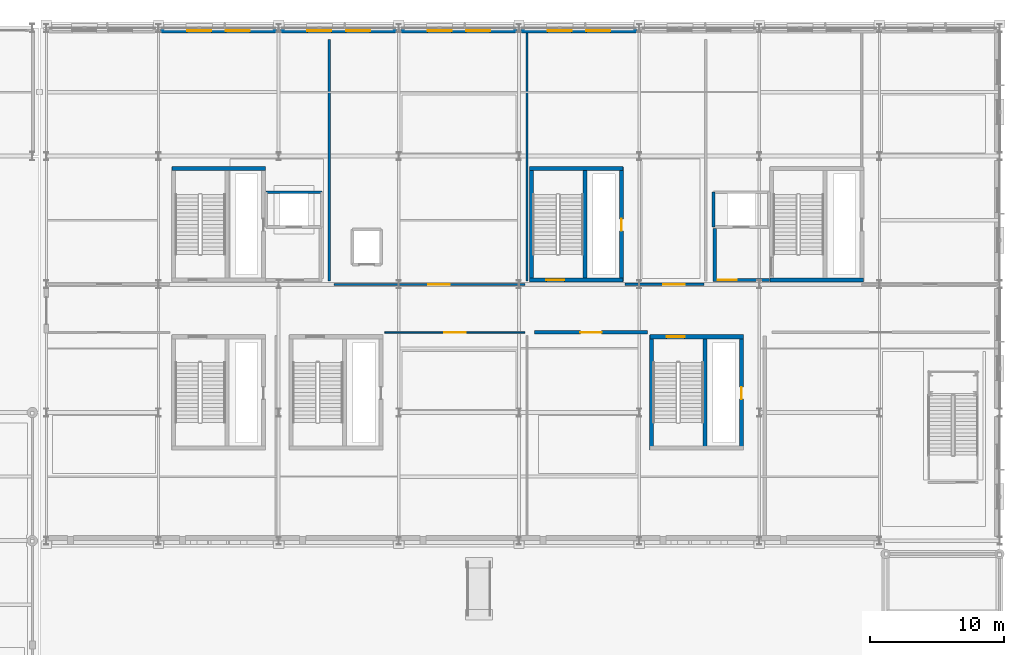
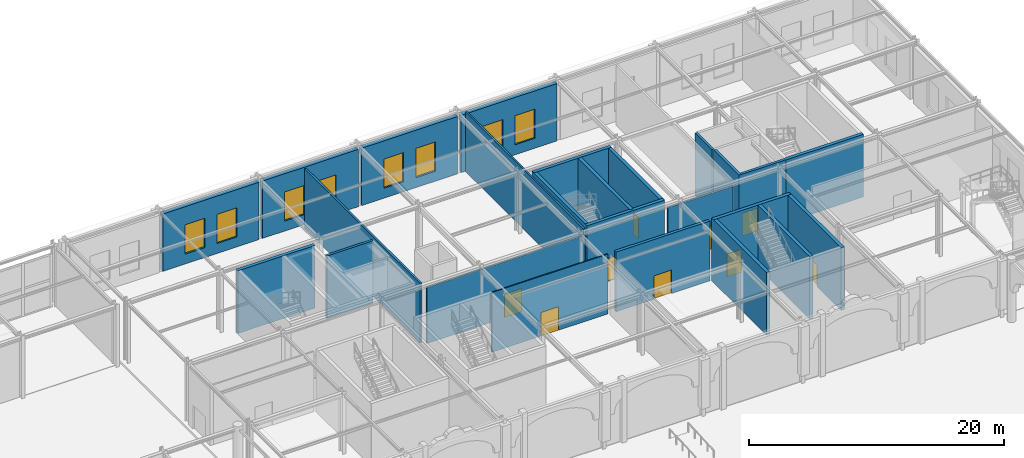
# One storey, part 68 of 113: 25 walls, 9 doors, 8 windows, 17 openings.
"""IFC4 building model written with IfcOpenShell, lengths in metres."""

from ifc_helpers import new_model, si_unit, direction, frame, frame_2d, origin, place, context, subcontext, project, spatial, rectangle, extrude, material, layer, layer_set, type_object, element, fill, save


model = new_model("IFC4")

# Units and contexts
model_context = context("Model", 3, precision=1e-05, world=origin(), true_north=direction((0.0, 1.0)))
body_context = subcontext(model_context, "Body", "Model", "MODEL_VIEW")
ifc_project = project(units=[si_unit("LENGTHUNIT", "METRE"), si_unit("AREAUNIT", "SQUARE_METRE"), si_unit("VOLUMEUNIT", "CUBIC_METRE"), si_unit("PLANEANGLEUNIT", "RADIAN"), si_unit("MASSUNIT", "GRAM", prefix="KILO")], contexts=[model_context])

# Site, building, storey
site_placement = place(None, origin())
site = spatial("IfcSite", under=ifc_project, at=site_placement, CompositionType="ELEMENT")
building_placement = place(site_placement, origin())
building = spatial("IfcBuilding", under=site, at=building_placement, Name="Myrtia Square Station", CompositionType="ELEMENT")
storey_placement = place(building_placement, origin())
storey = spatial("IfcBuildingStorey", under=building, at=storey_placement, Name="L00", CompositionType="ELEMENT", Elevation=0.0)

# Walls
ifc_material_1 = material(Name="Concrete C35/45", Category="concrete")
ifc_layer_1 = layer(ifc_material_1, 0.300048828125, Name="Concrete C35/45")
ifc_layer_set_1 = layer_set([ifc_layer_1], Name="Concrete C35/45")
wall_type_1 = type_object("IfcWallType", Name="WL-CORE-300", PredefinedType="SHEAR", material=ifc_layer_set_1)
for number, where, z_axis, x_axis, name in (
    (1, (127.0, 114.27490234375, 0.0), (0.0, 0.0, 1.0), (1.0, 0.0, 0.0), "Core K7 shear wall L00 N"),
    (2, (171.800048828125, 105.925048828125, 0.0), (0.0, 0.0, 1.0), (1.0, 0.0, 0.0), "Core K8 shear wall L00 S"),
):
    element("IfcWall", number, at=place(storey_placement, frame(where, z_axis=z_axis, x_axis=x_axis)), inside=storey, type_object=wall_type_1, Name=name, PredefinedType="SHEAR", context=body_context, shape_type="SweptSolid", body=[
        extrude(rectangle(XDim=7.0, YDim=0.300048828125, at=frame_2d((3.5, 0.0))), origin(), (0.0, 0.0, 1.0), 6.0),
    ])

# Wall, opening, door
wall_1_placement = place(storey_placement, frame((153.800048828125, 105.925048828125, 0.0), z_axis=(0.0, 0.0, 1.0), x_axis=(1.0, 0.0, 0.0)))
wall_1 = element("IfcWall", 3, at=wall_1_placement, inside=storey, type_object=wall_type_1, Name="Core K15 shear wall L00 S", PredefinedType="SHEAR", context=body_context, shape_type="SweptSolid", body=[
    extrude(rectangle(XDim=7.0, YDim=0.300048828125, at=frame_2d((3.5, 0.0))), origin(), (0.0, 0.0, 1.0), 6.0),
])
opening_1_placement = place(wall_1_placement, frame((1.25, 0.0, 0.0)))
opening_1 = element("IfcOpeningElement", 4, at=opening_1_placement, cuts=wall_1, Name="Opening SD-165", PredefinedType="OPENING", context=body_context, shape_type="SweptSolid", body=[
    extrude(rectangle(XDim=1.35009765625, YDim=2.199951171875, at=frame_2d((0.675048828125, 1.10009765625))), frame((0.0, 0.1650390625, 0.0), z_axis=(0.0, -1.0, 0.0), x_axis=(1.0, 0.0, 0.0)), (0.0, 0.0, 1.0), 0.330078125),
])
ifc_material_2 = material(Name="Dark bronze anodised aluminium", Category="aluminium")
door_type_1 = type_object("IfcDoorType", Name="DR-STAIR-1350x2200", OperationType="NOTDEFINED", PredefinedType="DOOR", material=ifc_material_2)
door_1_placement = place(opening_1_placement, frame((1.35009765625, 0.0, 0.0), z_axis=(0.0, 0.0, 1.0), x_axis=(-1.0, 0.0, 0.0)))
door_1 = element("IfcDoor", 5, at=door_1_placement, inside=storey, type_object=door_type_1, Name="Protected stair fire door K15 L00", OperationType="SINGLE_SWING_LEFT", OverallHeight=2.199951171875, OverallWidth=1.35009765625, PredefinedType="DOOR", context=body_context, shape_type="SweptSolid", body=[
    extrude(rectangle(XDim=1.35009765625, YDim=2.199951171875, at=frame_2d((0.675048828125, 1.10009765625))), frame((0.0, 0.02490234375, 0.0), z_axis=(0.0, -1.0, 0.0), x_axis=(1.0, 0.0, 0.0)), (0.0, 0.0, 1.0), 0.050048828125),
])
fill(opening_1, door_1)

# Walls
wall_2_placement = place(storey_placement, frame((153.800048828125, 114.27490234375, 0.0), z_axis=(0.0, 0.0, 1.0), x_axis=(1.0, 0.0, 0.0)))
element("IfcWall", 6, at=wall_2_placement, inside=storey, type_object=wall_type_1, Name="Core K15 shear wall L00 N", PredefinedType="SHEAR", context=body_context, shape_type="SweptSolid", body=[
    extrude(rectangle(XDim=7.0, YDim=0.300048828125, at=frame_2d((3.5, 0.0))), origin(), (0.0, 0.0, 1.0), 6.0),
])
wall_3_placement = place(storey_placement, frame((153.925048828125, 105.800048828125, 0.0), z_axis=(0.0, 0.0, 1.0), x_axis=(0.0, 1.0, 0.0)))
element("IfcWall", 7, at=wall_3_placement, inside=storey, type_object=wall_type_1, Name="Core K15 shear wall L00 W", PredefinedType="SHEAR", context=body_context, shape_type="SweptSolid", body=[
    extrude(rectangle(XDim=8.599853515625, YDim=0.300048828125, at=frame_2d((4.2998046875, 0.0))), origin(), (0.0, 0.0, 1.0), 6.0),
])

# Wall, opening, door
wall_4_placement = place(storey_placement, frame((160.675048828125, 105.800048828125, 0.0), z_axis=(0.0, 0.0, 1.0), x_axis=(0.0, 1.0, 0.0)))
wall_4 = element("IfcWall", 8, at=wall_4_placement, inside=storey, type_object=wall_type_1, Name="Core K15 shear wall L00 E", PredefinedType="SHEAR", context=body_context, shape_type="SweptSolid", body=[
    extrude(rectangle(XDim=8.599853515625, YDim=0.300048828125, at=frame_2d((4.2998046875, 0.0))), origin(), (0.0, 0.0, 1.0), 6.0),
])
opening_2_placement = place(wall_4_placement, frame((3.800048828125, 0.0, 0.0)))
opening_2 = element("IfcOpeningElement", 9, at=opening_2_placement, cuts=wall_4, Name="Opening RD-166", PredefinedType="OPENING", context=body_context, shape_type="SweptSolid", body=[
    extrude(rectangle(XDim=0.89990234375, YDim=2.050048828125, at=frame_2d((0.449951171875, 1.02490234375))), frame((0.0, 0.1650390625, 0.0), z_axis=(0.0, -1.0, 0.0), x_axis=(1.0, 0.0, 0.0)), (0.0, 0.0, 1.0), 0.330078125),
])
door_type_2 = type_object("IfcDoorType", Name="DR-RISER-900x2050", OperationType="NOTDEFINED", PredefinedType="DOOR", material=ifc_material_2)
door_2_placement = place(opening_2_placement, origin())
door_2 = element("IfcDoor", 10, at=door_2_placement, inside=storey, type_object=door_type_2, Name="Riser cupboard access door K15 L00", OperationType="SINGLE_SWING_RIGHT", OverallHeight=2.050048828125, OverallWidth=0.89990234375, PredefinedType="DOOR", context=body_context, shape_type="SweptSolid", body=[
    extrude(rectangle(XDim=0.89990234375, YDim=2.050048828125, at=frame_2d((0.449951171875, 1.02490234375))), frame((0.0, 0.02490234375, 0.0), z_axis=(0.0, -1.0, 0.0), x_axis=(1.0, 0.0, 0.0)), (0.0, 0.0, 1.0), 0.050048828125),
])
fill(opening_2, door_2)

# Wall
wall_5_placement = place(storey_placement, frame((157.93994140625, 106.0, 0.0), z_axis=(0.0, 0.0, 1.0), x_axis=(0.0, 1.0, 0.0)))
element("IfcWall", 11, at=wall_5_placement, inside=storey, type_object=wall_type_1, Name="Core K15 shear wall L00 D", PredefinedType="SHEAR", context=body_context, shape_type="SweptSolid", body=[
    extrude(rectangle(XDim=8.199951171875, YDim=0.300048828125, at=frame_2d((4.10009765625, 0.0))), origin(), (0.0, 0.0, 1.0), 6.0),
])

# Wall, opening, door
wall_6_placement = place(storey_placement, frame((162.800048828125, 101.675048828125, 0.0), z_axis=(0.0, 0.0, 1.0), x_axis=(1.0, 0.0, 0.0)))
wall_6 = element("IfcWall", 12, at=wall_6_placement, inside=storey, type_object=wall_type_1, Name="Core K16 shear wall L00 N", PredefinedType="SHEAR", context=body_context, shape_type="SweptSolid", body=[
    extrude(rectangle(XDim=7.0, YDim=0.300048828125, at=frame_2d((3.5, 0.0))), origin(), (0.0, 0.0, 1.0), 6.0),
])
opening_3_placement = place(wall_6_placement, frame((1.25, 0.0, 0.0)))
opening_3 = element("IfcOpeningElement", 13, at=opening_3_placement, cuts=wall_6, Name="Opening SD-177", PredefinedType="OPENING", context=body_context, shape_type="SweptSolid", body=[
    extrude(rectangle(XDim=1.35009765625, YDim=2.199951171875, at=frame_2d((0.675048828125, 1.10009765625))), frame((0.0, 0.1650390625, 0.0), z_axis=(0.0, -1.0, 0.0), x_axis=(1.0, 0.0, 0.0)), (0.0, 0.0, 1.0), 0.330078125),
])
door_3_placement = place(opening_3_placement, origin())
door_3 = element("IfcDoor", 14, at=door_3_placement, inside=storey, type_object=door_type_1, Name="Protected stair fire door K16 L00", OperationType="SINGLE_SWING_LEFT", OverallHeight=2.199951171875, OverallWidth=1.35009765625, PredefinedType="DOOR", context=body_context, shape_type="SweptSolid", body=[
    extrude(rectangle(XDim=1.35009765625, YDim=2.199951171875, at=frame_2d((0.675048828125, 1.10009765625))), frame((0.0, 0.02490234375, 0.0), z_axis=(0.0, -1.0, 0.0), x_axis=(1.0, 0.0, 0.0)), (0.0, 0.0, 1.0), 0.050048828125),
])
fill(opening_3, door_3)

# Wall
wall_7_placement = place(storey_placement, frame((162.925048828125, 93.199951171875, 0.0), z_axis=(0.0, 0.0, 1.0), x_axis=(0.0, 1.0, 0.0)))
element("IfcWall", 15, at=wall_7_placement, inside=storey, type_object=wall_type_1, Name="Core K16 shear wall L00 W", PredefinedType="SHEAR", context=body_context, shape_type="SweptSolid", body=[
    extrude(rectangle(XDim=8.60009765625, YDim=0.300048828125, at=frame_2d((4.300048828125, 0.0))), origin(), (0.0, 0.0, 1.0), 6.0),
])

# Wall, opening, door
wall_8_placement = place(storey_placement, frame((169.675048828125, 93.199951171875, 0.0), z_axis=(0.0, 0.0, 1.0), x_axis=(0.0, 1.0, 0.0)))
wall_8 = element("IfcWall", 16, at=wall_8_placement, inside=storey, type_object=wall_type_1, Name="Core K16 shear wall L00 E", PredefinedType="SHEAR", context=body_context, shape_type="SweptSolid", body=[
    extrude(rectangle(XDim=8.60009765625, YDim=0.300048828125, at=frame_2d((4.300048828125, 0.0))), origin(), (0.0, 0.0, 1.0), 6.0),
])
opening_4_placement = place(wall_8_placement, frame((3.800048828125, 0.0, 0.0)))
opening_4 = element("IfcOpeningElement", 17, at=opening_4_placement, cuts=wall_8, Name="Opening RD-178", PredefinedType="OPENING", context=body_context, shape_type="SweptSolid", body=[
    extrude(rectangle(XDim=0.89990234375, YDim=2.050048828125, at=frame_2d((0.449951171875, 1.02490234375))), frame((0.0, 0.1650390625, 0.0), z_axis=(0.0, -1.0, 0.0), x_axis=(1.0, 0.0, 0.0)), (0.0, 0.0, 1.0), 0.330078125),
])
door_4_placement = place(opening_4_placement, origin())
door_4 = element("IfcDoor", 18, at=door_4_placement, inside=storey, type_object=door_type_2, Name="Riser cupboard access door K16 L00", OperationType="SINGLE_SWING_RIGHT", OverallHeight=2.050048828125, OverallWidth=0.89990234375, PredefinedType="DOOR", context=body_context, shape_type="SweptSolid", body=[
    extrude(rectangle(XDim=0.89990234375, YDim=2.050048828125, at=frame_2d((0.449951171875, 1.02490234375))), frame((0.0, 0.02490234375, 0.0), z_axis=(0.0, -1.0, 0.0), x_axis=(1.0, 0.0, 0.0)), (0.0, 0.0, 1.0), 0.050048828125),
])
fill(opening_4, door_4)

# Wall
wall_9_placement = place(storey_placement, frame((166.93994140625, 93.39990234375, 0.0), z_axis=(0.0, 0.0, 1.0), x_axis=(0.0, 1.0, 0.0)))
element("IfcWall", 19, at=wall_9_placement, inside=storey, type_object=wall_type_1, Name="Core K16 shear wall L00 D", PredefinedType="SHEAR", context=body_context, shape_type="SweptSolid", body=[
    extrude(rectangle(XDim=8.2001953125, YDim=0.300048828125, at=frame_2d((4.10009765625, 0.0))), origin(), (0.0, 0.0, 1.0), 6.0),
])

# Wall, openings, windows
ifc_material_3 = material(Name="Cream lime stucco on clay brick masonry", Category="masonry")
ifc_layer_2 = layer(ifc_material_3, 0.360107421875, Name="Cream lime stucco on clay brick masonry")
ifc_layer_set_2 = layer_set([ifc_layer_2], Name="Cream lime stucco on clay brick masonry")
wall_type_2 = type_object("IfcWallType", Name="WL-EXT-STUCCO-360", PredefinedType="SOLIDWALL", material=ifc_layer_set_2)
wall_10_placement = place(storey_placement, frame((126.155029296875, 124.60009765625, 0.0), z_axis=(0.0, 0.0, 1.0), x_axis=(1.0, 0.0, 0.0)))
wall_10 = element("IfcWall", 20, at=wall_10_placement, inside=storey, type_object=wall_type_2, Name="Exterior envelope wall EW-L00-0097", PredefinedType="SOLIDWALL", context=body_context, shape_type="SweptSolid", body=[
    extrude(rectangle(XDim=8.68994140625, YDim=0.360107421875, at=frame_2d((4.344970703125, 0.0))), origin(), (0.0, 0.0, 1.0), 5.489990234375),
])
opening_5_placement = place(wall_10_placement, frame((1.9970703125, 0.0, 0.949951171875)))
opening_5 = element("IfcOpeningElement", 21, at=opening_5_placement, cuts=wall_10, Name="Opening WN-087", PredefinedType="OPENING", context=body_context, shape_type="SweptSolid", body=[
    extrude(rectangle(XDim=1.800048828125, YDim=2.800048828125, at=frame_2d((0.89990234375, 1.39990234375))), frame((0.0, 0.195068359375, 0.0), z_axis=(0.0, -1.0, 0.0), x_axis=(1.0, 0.0, 0.0)), (0.0, 0.0, 1.0), 0.39013671875),
])
opening_6_placement = place(wall_10_placement, frame((4.89306640625, 0.0, 0.949951171875)))
opening_6 = element("IfcOpeningElement", 22, at=opening_6_placement, cuts=wall_10, Name="Opening WN-088", PredefinedType="OPENING", context=body_context, shape_type="SweptSolid", body=[
    extrude(rectangle(XDim=1.800048828125, YDim=2.800048828125, at=frame_2d((0.89990234375, 1.39990234375))), frame((0.0, 0.195068359375, 0.0), z_axis=(0.0, -1.0, 0.0), x_axis=(1.0, 0.0, 0.0)), (0.0, 0.0, 1.0), 0.39013671875),
])
ifc_material_4 = material(Name="Tinted low-E solar control glass", Category="glass")
window_type = type_object("IfcWindowType", Name="WN-ARCH-1800x2800", PartitioningType="SINGLE_PANEL", PredefinedType="WINDOW", material=ifc_material_4)
window_1_placement = place(opening_5_placement, origin())
window_1 = element("IfcWindow", 23, at=window_1_placement, inside=storey, type_object=window_type, Name="Window WN-087", OverallHeight=2.800048828125, OverallWidth=1.800048828125, PartitioningType="SINGLE_PANEL", PredefinedType="WINDOW", context=body_context, shape_type="SweptSolid", body=[
    extrude(rectangle(XDim=1.800048828125, YDim=2.800048828125, at=frame_2d((0.89990234375, 1.39990234375))), frame((0.0, 0.030029296875, 0.0), z_axis=(0.0, -1.0, 0.0), x_axis=(1.0, 0.0, 0.0)), (0.0, 0.0, 1.0), 0.06005859375),
])
fill(opening_5, window_1)
window_2_placement = place(opening_6_placement, origin())
window_2 = element("IfcWindow", 24, at=window_2_placement, inside=storey, type_object=window_type, Name="Window WN-088", OverallHeight=2.800048828125, OverallWidth=1.800048828125, PartitioningType="SINGLE_PANEL", PredefinedType="WINDOW", context=body_context, shape_type="SweptSolid", body=[
    extrude(rectangle(XDim=1.800048828125, YDim=2.800048828125, at=frame_2d((0.89990234375, 1.39990234375))), frame((0.0, 0.030029296875, 0.0), z_axis=(0.0, -1.0, 0.0), x_axis=(1.0, 0.0, 0.0)), (0.0, 0.0, 1.0), 0.06005859375),
])
fill(opening_6, window_2)

wall_11_placement = place(storey_placement, frame((135.155029296875, 124.60009765625, 0.0), z_axis=(0.0, 0.0, 1.0), x_axis=(1.0, 0.0, 0.0)))
wall_11 = element("IfcWall", 25, at=wall_11_placement, inside=storey, type_object=wall_type_2, Name="Exterior envelope wall EW-L00-0098", PredefinedType="SOLIDWALL", context=body_context, shape_type="SweptSolid", body=[
    extrude(rectangle(XDim=8.68994140625, YDim=0.360107421875, at=frame_2d((4.344970703125, 0.0))), origin(), (0.0, 0.0, 1.0), 5.489990234375),
])
opening_7_placement = place(wall_11_placement, frame((1.9970703125, 0.0, 0.949951171875)))
opening_7 = element("IfcOpeningElement", 26, at=opening_7_placement, cuts=wall_11, Name="Opening WN-089", PredefinedType="OPENING", context=body_context, shape_type="SweptSolid", body=[
    extrude(rectangle(XDim=1.800048828125, YDim=2.800048828125, at=frame_2d((0.89990234375, 1.39990234375))), frame((0.0, 0.195068359375, 0.0), z_axis=(0.0, -1.0, 0.0), x_axis=(1.0, 0.0, 0.0)), (0.0, 0.0, 1.0), 0.39013671875),
])
opening_8_placement = place(wall_11_placement, frame((4.89306640625, 0.0, 0.949951171875)))
opening_8 = element("IfcOpeningElement", 27, at=opening_8_placement, cuts=wall_11, Name="Opening WN-090", PredefinedType="OPENING", context=body_context, shape_type="SweptSolid", body=[
    extrude(rectangle(XDim=1.800048828125, YDim=2.800048828125, at=frame_2d((0.89990234375, 1.39990234375))), frame((0.0, 0.195068359375, 0.0), z_axis=(0.0, -1.0, 0.0), x_axis=(1.0, 0.0, 0.0)), (0.0, 0.0, 1.0), 0.39013671875),
])
window_3_placement = place(opening_7_placement, origin())
window_3 = element("IfcWindow", 28, at=window_3_placement, inside=storey, type_object=window_type, Name="Window WN-089", OverallHeight=2.800048828125, OverallWidth=1.800048828125, PartitioningType="SINGLE_PANEL", PredefinedType="WINDOW", context=body_context, shape_type="SweptSolid", body=[
    extrude(rectangle(XDim=1.800048828125, YDim=2.800048828125, at=frame_2d((0.89990234375, 1.39990234375))), frame((0.0, 0.030029296875, 0.0), z_axis=(0.0, -1.0, 0.0), x_axis=(1.0, 0.0, 0.0)), (0.0, 0.0, 1.0), 0.06005859375),
])
fill(opening_7, window_3)
window_4_placement = place(opening_8_placement, origin())
window_4 = element("IfcWindow", 29, at=window_4_placement, inside=storey, type_object=window_type, Name="Window WN-090", OverallHeight=2.800048828125, OverallWidth=1.800048828125, PartitioningType="SINGLE_PANEL", PredefinedType="WINDOW", context=body_context, shape_type="SweptSolid", body=[
    extrude(rectangle(XDim=1.800048828125, YDim=2.800048828125, at=frame_2d((0.89990234375, 1.39990234375))), frame((0.0, 0.030029296875, 0.0), z_axis=(0.0, -1.0, 0.0), x_axis=(1.0, 0.0, 0.0)), (0.0, 0.0, 1.0), 0.06005859375),
])
fill(opening_8, window_4)

wall_12_placement = place(storey_placement, frame((144.155029296875, 124.60009765625, 0.0), z_axis=(0.0, 0.0, 1.0), x_axis=(1.0, 0.0, 0.0)))
wall_12 = element("IfcWall", 30, at=wall_12_placement, inside=storey, type_object=wall_type_2, Name="Exterior envelope wall EW-L00-0099", PredefinedType="SOLIDWALL", context=body_context, shape_type="SweptSolid", body=[
    extrude(rectangle(XDim=8.68994140625, YDim=0.360107421875, at=frame_2d((4.344970703125, 0.0))), origin(), (0.0, 0.0, 1.0), 5.489990234375),
])
opening_9_placement = place(wall_12_placement, frame((1.9970703125, 0.0, 0.949951171875)))
opening_9 = element("IfcOpeningElement", 31, at=opening_9_placement, cuts=wall_12, Name="Opening WN-091", PredefinedType="OPENING", context=body_context, shape_type="SweptSolid", body=[
    extrude(rectangle(XDim=1.800048828125, YDim=2.800048828125, at=frame_2d((0.89990234375, 1.39990234375))), frame((0.0, 0.195068359375, 0.0), z_axis=(0.0, -1.0, 0.0), x_axis=(1.0, 0.0, 0.0)), (0.0, 0.0, 1.0), 0.39013671875),
])
opening_10_placement = place(wall_12_placement, frame((4.89306640625, 0.0, 0.949951171875)))
opening_10 = element("IfcOpeningElement", 32, at=opening_10_placement, cuts=wall_12, Name="Opening WN-092", PredefinedType="OPENING", context=body_context, shape_type="SweptSolid", body=[
    extrude(rectangle(XDim=1.800048828125, YDim=2.800048828125, at=frame_2d((0.89990234375, 1.39990234375))), frame((0.0, 0.195068359375, 0.0), z_axis=(0.0, -1.0, 0.0), x_axis=(1.0, 0.0, 0.0)), (0.0, 0.0, 1.0), 0.39013671875),
])
window_5_placement = place(opening_9_placement, origin())
window_5 = element("IfcWindow", 33, at=window_5_placement, inside=storey, type_object=window_type, Name="Window WN-091", OverallHeight=2.800048828125, OverallWidth=1.800048828125, PartitioningType="SINGLE_PANEL", PredefinedType="WINDOW", context=body_context, shape_type="SweptSolid", body=[
    extrude(rectangle(XDim=1.800048828125, YDim=2.800048828125, at=frame_2d((0.89990234375, 1.39990234375))), frame((0.0, 0.030029296875, 0.0), z_axis=(0.0, -1.0, 0.0), x_axis=(1.0, 0.0, 0.0)), (0.0, 0.0, 1.0), 0.06005859375),
])
fill(opening_9, window_5)
window_6_placement = place(opening_10_placement, origin())
window_6 = element("IfcWindow", 34, at=window_6_placement, inside=storey, type_object=window_type, Name="Window WN-092", OverallHeight=2.800048828125, OverallWidth=1.800048828125, PartitioningType="SINGLE_PANEL", PredefinedType="WINDOW", context=body_context, shape_type="SweptSolid", body=[
    extrude(rectangle(XDim=1.800048828125, YDim=2.800048828125, at=frame_2d((0.89990234375, 1.39990234375))), frame((0.0, 0.030029296875, 0.0), z_axis=(0.0, -1.0, 0.0), x_axis=(1.0, 0.0, 0.0)), (0.0, 0.0, 1.0), 0.06005859375),
])
fill(opening_10, window_6)

wall_13_placement = place(storey_placement, frame((153.155029296875, 124.60009765625, 0.0), z_axis=(0.0, 0.0, 1.0), x_axis=(1.0, 0.0, 0.0)))
wall_13 = element("IfcWall", 35, at=wall_13_placement, inside=storey, type_object=wall_type_2, Name="Exterior envelope wall EW-L00-0100", PredefinedType="SOLIDWALL", context=body_context, shape_type="SweptSolid", body=[
    extrude(rectangle(XDim=8.68994140625, YDim=0.360107421875, at=frame_2d((4.344970703125, 0.0))), origin(), (0.0, 0.0, 1.0), 5.489990234375),
])
opening_11_placement = place(wall_13_placement, frame((1.9970703125, 0.0, 0.949951171875)))
opening_11 = element("IfcOpeningElement", 36, at=opening_11_placement, cuts=wall_13, Name="Opening WN-093", PredefinedType="OPENING", context=body_context, shape_type="SweptSolid", body=[
    extrude(rectangle(XDim=1.800048828125, YDim=2.800048828125, at=frame_2d((0.89990234375, 1.39990234375))), frame((0.0, 0.195068359375, 0.0), z_axis=(0.0, -1.0, 0.0), x_axis=(1.0, 0.0, 0.0)), (0.0, 0.0, 1.0), 0.39013671875),
])
opening_12_placement = place(wall_13_placement, frame((4.89306640625, 0.0, 0.949951171875)))
opening_12 = element("IfcOpeningElement", 37, at=opening_12_placement, cuts=wall_13, Name="Opening WN-094", PredefinedType="OPENING", context=body_context, shape_type="SweptSolid", body=[
    extrude(rectangle(XDim=1.800048828125, YDim=2.800048828125, at=frame_2d((0.89990234375, 1.39990234375))), frame((0.0, 0.195068359375, 0.0), z_axis=(0.0, -1.0, 0.0), x_axis=(1.0, 0.0, 0.0)), (0.0, 0.0, 1.0), 0.39013671875),
])
window_7_placement = place(opening_11_placement, origin())
window_7 = element("IfcWindow", 38, at=window_7_placement, inside=storey, type_object=window_type, Name="Window WN-093", OverallHeight=2.800048828125, OverallWidth=1.800048828125, PartitioningType="SINGLE_PANEL", PredefinedType="WINDOW", context=body_context, shape_type="SweptSolid", body=[
    extrude(rectangle(XDim=1.800048828125, YDim=2.800048828125, at=frame_2d((0.89990234375, 1.39990234375))), frame((0.0, 0.030029296875, 0.0), z_axis=(0.0, -1.0, 0.0), x_axis=(1.0, 0.0, 0.0)), (0.0, 0.0, 1.0), 0.06005859375),
])
fill(opening_11, window_7)
window_8_placement = place(opening_12_placement, origin())
window_8 = element("IfcWindow", 39, at=window_8_placement, inside=storey, type_object=window_type, Name="Window WN-094", OverallHeight=2.800048828125, OverallWidth=1.800048828125, PartitioningType="SINGLE_PANEL", PredefinedType="WINDOW", context=body_context, shape_type="SweptSolid", body=[
    extrude(rectangle(XDim=1.800048828125, YDim=2.800048828125, at=frame_2d((0.89990234375, 1.39990234375))), frame((0.0, 0.030029296875, 0.0), z_axis=(0.0, -1.0, 0.0), x_axis=(1.0, 0.0, 0.0)), (0.0, 0.0, 1.0), 0.06005859375),
])
fill(opening_12, window_8)

# Wall
ifc_layer_3 = layer(ifc_material_1, 0.239990234375, Name="Concrete C35/45")
ifc_layer_set_3 = layer_set([ifc_layer_3], Name="Concrete C35/45")
wall_type_3 = type_object("IfcWallType", Name="WL-FFL-240", PredefinedType="SHEAR", material=ifc_layer_set_3)
wall_14_placement = place(storey_placement, frame((167.669921875, 105.800048828125, 0.0), z_axis=(0.0, 0.0, 1.0), x_axis=(0.0, 1.0, 0.0)))
element("IfcWall", 40, at=wall_14_placement, inside=storey, type_object=wall_type_3, Name="Firefighting lift lobby EI 120 wall K8 L00 W", PredefinedType="SHEAR", context=body_context, shape_type="SweptSolid", body=[
    extrude(rectangle(XDim=4.0, YDim=0.239990234375, at=frame_2d((2.0, 0.0))), origin(), (0.0, 0.0, 1.0), 6.0),
])

# Wall, opening, door
wall_15_placement = place(storey_placement, frame((167.550048828125, 105.919921875, 0.0), z_axis=(0.0, 0.0, 1.0), x_axis=(1.0, 0.0, 0.0)))
wall_15 = element("IfcWall", 41, at=wall_15_placement, inside=storey, type_object=wall_type_3, Name="Firefighting lift lobby EI 120 wall K8 L00 S", PredefinedType="SHEAR", context=body_context, shape_type="SweptSolid", body=[
    extrude(rectangle(XDim=4.199951171875, YDim=0.239990234375, at=frame_2d((2.10009765625, 0.0))), origin(), (0.0, 0.0, 1.0), 6.0),
])
opening_13_placement = place(wall_15_placement, frame((0.35009765625, 0.0, 0.0)))
opening_13 = element("IfcOpeningElement", 42, at=opening_13_placement, cuts=wall_15, Name="Opening FD-130", PredefinedType="OPENING", context=body_context, shape_type="SweptSolid", body=[
    extrude(rectangle(XDim=1.39990234375, YDim=2.199951171875, at=frame_2d((0.699951171875, 1.10009765625))), frame((0.0, 0.135009765625, 0.0), z_axis=(0.0, -1.0, 0.0), x_axis=(1.0, 0.0, 0.0)), (0.0, 0.0, 1.0), 0.27001953125),
])
door_type_3 = type_object("IfcDoorType", Name="DR-FFL-1400x2200", OperationType="NOTDEFINED", PredefinedType="DOOR", material=ifc_material_2)
door_5_placement = place(opening_13_placement, frame((1.39990234375, 0.0, 0.0), z_axis=(0.0, 0.0, 1.0), x_axis=(-1.0, 0.0, 0.0)))
door_5 = element("IfcDoor", 43, at=door_5_placement, inside=storey, type_object=door_type_3, Name="Firefighting lobby fire door K8 L00", OperationType="SINGLE_SWING_RIGHT", OverallHeight=2.199951171875, OverallWidth=1.39990234375, PredefinedType="DOOR", context=body_context, shape_type="SweptSolid", body=[
    extrude(rectangle(XDim=1.39990234375, YDim=2.199951171875, at=frame_2d((0.699951171875, 1.10009765625))), frame((0.0, 0.02490234375, 0.0), z_axis=(0.0, -1.0, 0.0), x_axis=(1.0, 0.0, 0.0)), (0.0, 0.0, 1.0), 0.050048828125),
])
fill(opening_13, door_5)

# Walls
ifc_layer_4 = layer(ifc_material_1, 0.219970703125, Name="Concrete C35/45")
ifc_layer_set_4 = layer_set([ifc_layer_4], Name="Concrete C35/45")
wall_type_4 = type_object("IfcWallType", Name="WL-LIFT-220", PredefinedType="SHEAR", material=ifc_layer_set_4)
wall_16_placement = place(storey_placement, frame((134.070068359375, 112.5, 0.0), z_axis=(0.0, 0.0, 1.0), x_axis=(1.0, 0.0, 0.0)))
element("IfcWall", 44, at=wall_16_placement, inside=storey, type_object=wall_type_4, Name="Lift shaft wall FFL-03 L00 +Y", PredefinedType="SHEAR", context=body_context, shape_type="SweptSolid", body=[
    extrude(rectangle(XDim=4.159912109375, YDim=0.219970703125, at=frame_2d((2.080078125, 0.0))), origin(), (0.0, 0.0, 1.0), 6.0),
])
wall_17_placement = place(storey_placement, frame((167.570068359375, 109.8798828125, 0.0), z_axis=(0.0, 0.0, 1.0), x_axis=(0.0, 1.0, 0.0)))
element("IfcWall", 45, at=wall_17_placement, inside=storey, type_object=wall_type_4, Name="Lift shaft wall FFL-04 L00 -X", PredefinedType="SHEAR", context=body_context, shape_type="SweptSolid", body=[
    extrude(rectangle(XDim=2.6201171875, YDim=0.219970703125, at=frame_2d((1.31005859375, 0.0))), origin(), (0.0, 0.0, 1.0), 6.0),
])

# Wall, opening, door
ifc_material_5 = material(Name="Gypsum plasterboard")
ifc_layer_5 = layer(ifc_material_5, 0.10009765625, Name="Gypsum plasterboard")
ifc_layer_set_5 = layer_set([ifc_layer_5], Name="Gypsum plasterboard")
wall_type_5 = type_object("IfcWallType", Name="WL-PART-100", PredefinedType="PARTITIONING", material=ifc_layer_set_5)
wall_18_placement = place(storey_placement, frame((142.9599609375, 102.0, 0.0), z_axis=(0.0, 0.0, 1.0), x_axis=(1.0, 0.0, 0.0)))
wall_18 = element("IfcWall", 46, at=wall_18_placement, inside=storey, type_object=wall_type_5, Name="Interior partition wall L00-17", PredefinedType="PARTITIONING", context=body_context, shape_type="SweptSolid", body=[
    extrude(rectangle(XDim=10.489990234375, YDim=0.10009765625, at=frame_2d((5.2451171875, 0.0))), origin(), (0.0, 0.0, 1.0), 5.719970703125),
])
opening_14_placement = place(wall_18_placement, frame((4.445068359375, 0.0, 0.0)))
opening_14 = element("IfcOpeningElement", 47, at=opening_14_placement, cuts=wall_18, Name="Opening D-227", PredefinedType="OPENING", context=body_context, shape_type="SweptSolid", body=[
    extrude(rectangle(XDim=1.60009765625, YDim=2.25, at=frame_2d((0.800048828125, 1.125))), frame((0.0, 0.06494140625, 0.0), z_axis=(0.0, -1.0, 0.0), x_axis=(1.0, 0.0, 0.0)), (0.0, 0.0, 1.0), 0.130126953125),
])
door_type_4 = type_object("IfcDoorType", Name="DR-CORR-1600x2250", OperationType="NOTDEFINED", PredefinedType="DOOR", material=ifc_material_2)
door_6_placement = place(opening_14_placement, origin())
door_6 = element("IfcDoor", 48, at=door_6_placement, inside=storey, type_object=door_type_4, Name="Train Crew Sign-On and Dispatch Office door D-227", OperationType="DOUBLE_DOOR_SINGLE_SWING", OverallHeight=2.25, OverallWidth=1.60009765625, PredefinedType="DOOR", context=body_context, shape_type="SweptSolid", body=[
    extrude(rectangle(XDim=1.60009765625, YDim=2.25, at=frame_2d((0.800048828125, 1.125))), frame((0.0, 0.02490234375, 0.0), z_axis=(0.0, -1.0, 0.0), x_axis=(1.0, 0.0, 0.0)), (0.0, 0.0, 1.0), 0.050048828125),
])
fill(opening_14, door_6)

ifc_layer_6 = layer(ifc_material_5, 0.14990234375, Name="Gypsum plasterboard")
ifc_layer_set_6 = layer_set([ifc_layer_6], Name="Gypsum plasterboard")
wall_type_6 = type_object("IfcWallType", Name="WL-PART-150", PredefinedType="PARTITIONING", material=ifc_layer_set_6)
wall_19_placement = place(storey_placement, frame((139.14990234375, 105.60009765625, 0.0), z_axis=(0.0, 0.0, 1.0), x_axis=(1.0, 0.0, 0.0)))
wall_19 = element("IfcWall", 49, at=wall_19_placement, inside=storey, type_object=wall_type_6, Name="Interior partition wall L00-19", PredefinedType="PARTITIONING", context=body_context, shape_type="SweptSolid", body=[
    extrude(rectangle(XDim=14.300048828125, YDim=0.14990234375, at=frame_2d((7.14990234375, 0.0))), origin(), (0.0, 0.0, 1.0), 5.3701171875),
])
opening_15_placement = place(wall_19_placement, frame((7.050048828125, 0.0, 0.0)))
opening_15 = element("IfcOpeningElement", 50, at=opening_15_placement, cuts=wall_19, Name="Opening D-229", PredefinedType="OPENING", context=body_context, shape_type="SweptSolid", body=[
    extrude(rectangle(XDim=1.60009765625, YDim=2.25, at=frame_2d((0.800048828125, 1.125))), frame((0.0, 0.08984375, 0.0), z_axis=(0.0, -1.0, 0.0), x_axis=(1.0, 0.0, 0.0)), (0.0, 0.0, 1.0), 0.179931640625),
])
door_7_placement = place(opening_15_placement, frame((1.60009765625, 0.0, 0.0), z_axis=(0.0, 0.0, 1.0), x_axis=(-1.0, 0.0, 0.0)))
door_7 = element("IfcDoor", 51, at=door_7_placement, inside=storey, type_object=door_type_4, Name="Passenger First Aid Medical Room door D-229", OperationType="DOUBLE_DOOR_SINGLE_SWING", OverallHeight=2.25, OverallWidth=1.60009765625, PredefinedType="DOOR", context=body_context, shape_type="SweptSolid", body=[
    extrude(rectangle(XDim=1.60009765625, YDim=2.25, at=frame_2d((0.800048828125, 1.125))), frame((0.0, 0.02490234375, 0.0), z_axis=(0.0, -1.0, 0.0), x_axis=(1.0, 0.0, 0.0)), (0.0, 0.0, 1.0), 0.050048828125),
])
fill(opening_15, door_7)

# Wall
wall_20_placement = place(storey_placement, frame((153.60009765625, 105.85009765625, 0.0), z_axis=(0.0, 0.0, 1.0), x_axis=(0.0, 1.0, 0.0)))
element("IfcWall", 52, at=wall_20_placement, inside=storey, type_object=wall_type_6, Name="Room divider partition L00-19", PredefinedType="PARTITIONING", context=body_context, shape_type="SweptSolid", body=[
    extrude(rectangle(XDim=18.56494140625, YDim=0.14990234375, at=frame_2d((9.282470703125, 0.0))), origin(), (0.0, 0.0, 1.0), 5.719970703125),
])

# Wall, opening, door
ifc_layer_7 = layer(ifc_material_3, 0.175048828125, Name="Cream lime stucco on clay brick masonry")
ifc_layer_set_7 = layer_set([ifc_layer_7], Name="Cream lime stucco on clay brick masonry")
wall_type_7 = type_object("IfcWallType", Name="WL-PART-175", PredefinedType="PARTITIONING", material=ifc_layer_set_7)
wall_21_placement = place(storey_placement, frame((160.9599609375, 105.60009765625, 0.0), z_axis=(0.0, 0.0, 1.0), x_axis=(1.0, 0.0, 0.0)))
wall_21 = element("IfcWall", 53, at=wall_21_placement, inside=storey, type_object=wall_type_7, Name="Interior partition wall L00-20", PredefinedType="PARTITIONING", context=body_context, shape_type="SweptSolid", body=[
    extrude(rectangle(XDim=5.89013671875, YDim=0.175048828125, at=frame_2d((2.945068359375, 0.0))), origin(), (0.0, 0.0, 1.0), 5.3701171875),
])
opening_16_placement = place(wall_21_placement, frame((2.844970703125, 0.0, 0.0)))
opening_16 = element("IfcOpeningElement", 54, at=opening_16_placement, cuts=wall_21, Name="Opening D-230", PredefinedType="OPENING", context=body_context, shape_type="SweptSolid", body=[
    extrude(rectangle(XDim=1.60009765625, YDim=2.25, at=frame_2d((0.800048828125, 1.125))), frame((0.0, 0.1025390625, 0.0), z_axis=(0.0, -1.0, 0.0), x_axis=(1.0, 0.0, 0.0)), (0.0, 0.0, 1.0), 0.205078125),
])
door_8_placement = place(opening_16_placement, frame((1.60009765625, 0.0, 0.0), z_axis=(0.0, 0.0, 1.0), x_axis=(-1.0, 0.0, 0.0)))
door_8 = element("IfcDoor", 55, at=door_8_placement, inside=storey, type_object=door_type_4, Name="Rail Infrastructure Duty Engineers Office door D-230", OperationType="DOUBLE_DOOR_SINGLE_SWING", OverallHeight=2.25, OverallWidth=1.60009765625, PredefinedType="DOOR", context=body_context, shape_type="SweptSolid", body=[
    extrude(rectangle(XDim=1.60009765625, YDim=2.25, at=frame_2d((0.800048828125, 1.125))), frame((0.0, 0.02490234375, 0.0), z_axis=(0.0, -1.0, 0.0), x_axis=(1.0, 0.0, 0.0)), (0.0, 0.0, 1.0), 0.050048828125),
])
fill(opening_16, door_8)

# Wall
wall_22_placement = place(storey_placement, frame((138.800048828125, 105.85009765625, 0.0), z_axis=(0.0, 0.0, 1.0), x_axis=(0.0, 1.0, 0.0)))
element("IfcWall", 56, at=wall_22_placement, inside=storey, type_object=wall_type_7, Name="Room divider partition L00-25", PredefinedType="PARTITIONING", context=body_context, shape_type="SweptSolid", body=[
    extrude(rectangle(XDim=18.099853515625, YDim=0.175048828125, at=frame_2d((9.0498046875, 0.0))), origin(), (0.0, 0.0, 1.0), 5.719970703125),
])

# Wall, opening, door
ifc_layer_8 = layer(ifc_material_3, 0.260009765625, Name="Cream lime stucco on clay brick masonry")
ifc_layer_set_8 = layer_set([ifc_layer_8], Name="Cream lime stucco on clay brick masonry")
wall_type_8 = type_object("IfcWallType", Name="WL-PART-260", PredefinedType="PARTITIONING", material=ifc_layer_set_8)
wall_23_placement = place(storey_placement, frame((154.14990234375, 102.0, 0.0), z_axis=(0.0, 0.0, 1.0), x_axis=(1.0, 0.0, 0.0)))
wall_23 = element("IfcWall", 57, at=wall_23_placement, inside=storey, type_object=wall_type_8, Name="Interior partition wall L00-15", PredefinedType="PARTITIONING", context=body_context, shape_type="SweptSolid", body=[
    extrude(rectangle(XDim=8.489990234375, YDim=0.260009765625, at=frame_2d((4.2451171875, 0.0))), origin(), (0.0, 0.0, 1.0), 5.719970703125),
])
opening_17_placement = place(wall_23_placement, frame((3.445068359375, 0.0, 0.0)))
opening_17 = element("IfcOpeningElement", 58, at=opening_17_placement, cuts=wall_23, Name="Opening D-225", PredefinedType="OPENING", context=body_context, shape_type="SweptSolid", body=[
    extrude(rectangle(XDim=1.60009765625, YDim=2.25, at=frame_2d((0.800048828125, 1.125))), frame((0.0, 0.14501953125, 0.0), z_axis=(0.0, -1.0, 0.0), x_axis=(1.0, 0.0, 0.0)), (0.0, 0.0, 1.0), 0.2900390625),
])
door_9_placement = place(opening_17_placement, origin())
door_9 = element("IfcDoor", 59, at=door_9_placement, inside=storey, type_object=door_type_4, Name="Station Control and Fire Command Centre door D-225", OperationType="DOUBLE_DOOR_SINGLE_SWING", OverallHeight=2.25, OverallWidth=1.60009765625, PredefinedType="DOOR", context=body_context, shape_type="SweptSolid", body=[
    extrude(rectangle(XDim=1.60009765625, YDim=2.25, at=frame_2d((0.800048828125, 1.125))), frame((0.0, 0.02490234375, 0.0), z_axis=(0.0, -1.0, 0.0), x_axis=(1.0, 0.0, 0.0)), (0.0, 0.0, 1.0), 0.050048828125),
])
fill(opening_17, door_9)

save(model, "model.ifc")
